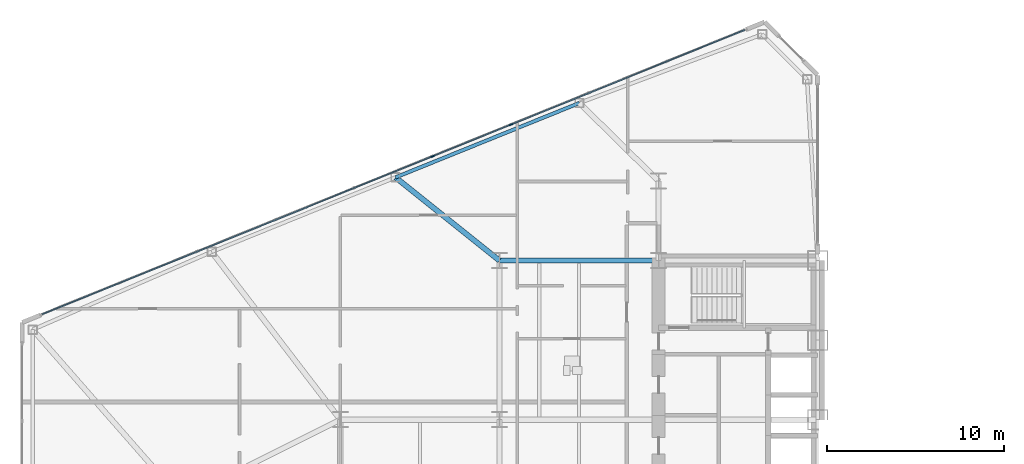
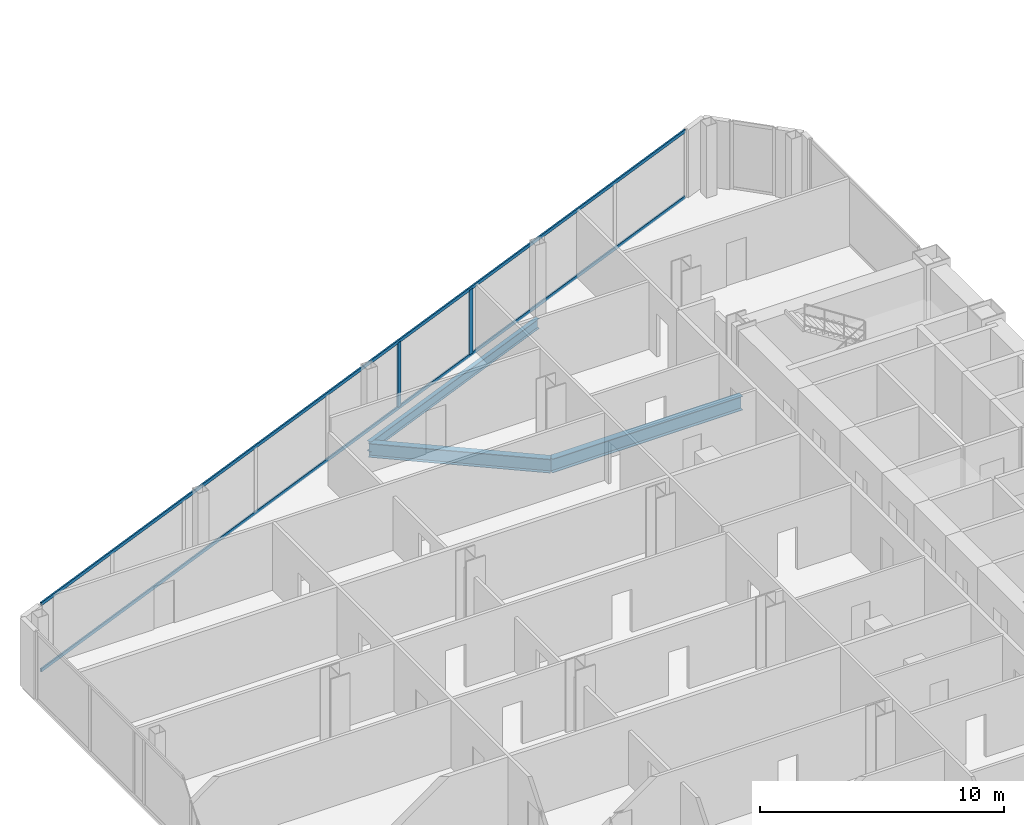
# One storey, part 7 of 25: 4 members, 3 beams, 1 element without a shape of its own.
"""IFC4 building model written with IfcOpenShell, lengths in metres."""

from ifc_helpers import new_model, si_unit, direction, frame, origin, origin_2d, place, context, subcontext, project, spatial, rectangle, i_section, extrude, source, transform, mapped, material, layer, layer_set, material_profile, profile_set, type_object, type_shapes, element, aggregate, save


model = new_model("IFC4")

# Units and contexts
model_context = context("Model", 3, precision=1e-05, world=origin(), true_north=direction((0.0, 1.0)))
body_context = subcontext(model_context, "Body", "Model", "MODEL_VIEW")
ifc_project = project(units=[si_unit("LENGTHUNIT", "METRE"), si_unit("AREAUNIT", "SQUARE_METRE"), si_unit("VOLUMEUNIT", "CUBIC_METRE"), si_unit("PLANEANGLEUNIT", "RADIAN"), si_unit("MASSUNIT", "GRAM", prefix="KILO")], contexts=[model_context])

# Site, building, storey
site_placement = place(None, origin())
site = spatial("IfcSite", under=ifc_project, at=site_placement, CompositionType="ELEMENT")
building_placement = place(site_placement, origin())
building = spatial("IfcBuilding", under=site, at=building_placement, Name="Seokmaru Belvedere", CompositionType="ELEMENT")
storey_placement = place(building_placement, frame((0.0, 0.0, 47.699951171875)))
storey = spatial("IfcBuildingStorey", under=building, at=storey_placement, Name="L12", CompositionType="ELEMENT", Elevation=47.699951171875)

# Beams
ifc_material_1 = material(Name="Steel SM355 (355 MPa)", Category="steel")
ifc_material_profile_1 = material_profile(ifc_material_1, i_section(OverallWidth=0.300048828125, OverallDepth=0.699951171875, WebThickness=0.012939453125, FlangeThickness=0.02392578125, at=origin_2d()), Name="H-700x300x13x24")
ifc_profile_set_1 = profile_set([ifc_material_profile_1], Name="Steel SM355 (355 MPa)")
beam_type_1 = type_object("IfcBeamType", Name="Primary Floor Girder H-700", PredefinedType="BEAM", material=ifc_profile_set_1)
shared_shape_1 = source(origin(), body_context, "Body", "SweptSolid", [
    extrude(i_section(OverallWidth=0.300048828125, OverallDepth=0.699951171875, WebThickness=0.012939453125, FlangeThickness=0.02392578125, at=origin_2d()), origin(), (0.0, 0.0, 1.0), 9.0),
])
beam_1_placement = place(storey_placement, frame((-45.5, 13.5, -0.570068359375), z_axis=(1.0, 0.0, 0.0), x_axis=(0.0, 1.0, 0.0)))
element("IfcBeam", 1, at=beam_1_placement, inside=storey, type_object=beam_type_1, Name="L12 W Wing Primary Girder 4", PredefinedType="BEAM", context=body_context, shape_type="MappedRepresentation", body=[
    mapped(shared_shape_1, transform((0.0, 0.0, 0.0), scale=1.0)),
])
ifc_material_profile_2 = material_profile(ifc_material_1, i_section(OverallWidth=0.199951171875, OverallDepth=0.5, WebThickness=0.010009765625, FlangeThickness=0.01611328125, at=origin_2d()), Name="H-500x200x10x16")
ifc_profile_set_2 = profile_set([ifc_material_profile_2], Name="Steel SM355 (355 MPa)")
beam_type_2 = type_object("IfcBeamType", Name="Perimeter Spandrel Beam H-500", PredefinedType="SPANDREL", material=ifc_profile_set_2)
shared_shape_2 = source(origin(), body_context, "Body", "SweptSolid", [
    extrude(i_section(OverallWidth=0.199951171875, OverallDepth=0.5, WebThickness=0.010009765625, FlangeThickness=0.01611328125, at=origin_2d()), origin(), (0.0, 0.0, 1.0), 11.220703125),
])
type_shapes(beam_type_2, [shared_shape_2])
beam_2_placement = place(storey_placement, frame((-40.977294921875, 22.4140625, -0.469970703125), z_axis=(-0.926944290816, -0.375198989503, 0.0), x_axis=(0.375198989503, -0.926944290816, 0.0)))
element("IfcBeam", 2, at=beam_2_placement, inside=storey, type_object=beam_type_2, Name="L12 W Faceted Flank Spandrel N-2", PredefinedType="SPANDREL", context=body_context, shape_type="MappedRepresentation", body=[
    mapped(shared_shape_2, transform((0.0, 0.0, 0.0), scale=1.0)),
])
shared_shape_3 = source(origin(), body_context, "Body", "SweptSolid", [
    extrude(i_section(OverallWidth=0.300048828125, OverallDepth=0.699951171875, WebThickness=0.012939453125, FlangeThickness=0.02392578125, at=origin_2d()), origin(), (0.0, 0.0, 1.0), 7.52880859375),
])
type_shapes(beam_type_1, [shared_shape_1, shared_shape_3])
beam_3_placement = place(storey_placement, frame((-51.378173828125, 18.2041015625, -0.570068359375), z_axis=(0.780767560736, -0.624821587418, 0.0), x_axis=(0.624821587418, 0.780767560736, 0.0)))
element("IfcBeam", 3, at=beam_3_placement, inside=storey, type_object=beam_type_1, Name="L12 W Flank Radial Floor Girder N-2", PredefinedType="BEAM", context=body_context, shape_type="MappedRepresentation", body=[
    mapped(shared_shape_3, transform((0.0, 0.0, 0.0), scale=1.0)),
])

# Curtain wall, members
ifc_material_2 = material(Name="Bronze Triple Insulating Glass", Category="glass")
ifc_layer = layer(ifc_material_2, 0.2099609375)
ifc_layer_set = layer_set([ifc_layer], Name="Bronze Triple Insulating Glass")
curtain_wall_type = type_object("IfcCurtainWallType", Name="Low-Rise Faceted Crystal Curtain Wall System CW-2", PredefinedType="NOTDEFINED", material=ifc_layer_set)
curtain_wall_placement = place(storey_placement, origin())
curtain_wall = element("IfcCurtainWall", 4, at=curtain_wall_placement, inside=storey, type_object=curtain_wall_type, Name="L12 Curtain Wall WF3", PredefinedType="NOTDEFINED")
ifc_material_3 = material(Name="Anodised Bronze Aluminium", Category="aluminium")
ifc_material_profile_3 = material_profile(ifc_material_3, rectangle(XDim=0.074951171875, YDim=0.2099609375, at=origin_2d()), Name="CW-M-75x210")
ifc_profile_set_3 = profile_set([ifc_material_profile_3], Name="Anodised Bronze Aluminium")
member_type_1 = type_object("IfcMemberType", Name="Bronze Unitised Mullion 75x210", PredefinedType="MULLION", material=ifc_profile_set_3)
shared_shape_4 = source(origin(), body_context, "Body", "SweptSolid", [
    extrude(rectangle(XDim=0.074951171875, YDim=0.2099609375, at=origin_2d()), origin(), (0.0, 0.0, 1.0), 3.239990234375),
])
type_shapes(member_type_1, [shared_shape_4])
member_1_placement = place(storey_placement, frame((-44.855224609375, 21.189453125, 0.070068359375), z_axis=(0.0, 0.0, 1.0), x_axis=(0.375192321888, -0.926946989637, 0.0)))
member_1 = element("IfcMember", 5, at=member_1_placement, type_object=member_type_1, Name="CW:L12:WF3 Mullion 4", PredefinedType="MULLION", context=body_context, shape_type="MappedRepresentation", body=[
    mapped(shared_shape_4, transform((0.0, 0.0, 0.0), scale=1.0)),
])
member_2_placement = place(storey_placement, frame((-49.28515625, 19.396484375, 0.070068359375), z_axis=(0.0, 0.0, 1.0), x_axis=(0.375192321888, -0.926946989637, 0.0)))
member_2 = element("IfcMember", 6, at=member_2_placement, type_object=member_type_1, Name="CW:L12:WF3 Mullion 5", PredefinedType="MULLION", context=body_context, shape_type="MappedRepresentation", body=[
    mapped(shared_shape_4, transform((0.0, 0.0, 0.0), scale=1.0)),
])
ifc_material_profile_4 = material_profile(ifc_material_3, rectangle(XDim=0.070068359375, YDim=0.1650390625, at=origin_2d()), Name="CW-T-70x165")
ifc_profile_set_4 = profile_set([ifc_material_profile_4], Name="Anodised Bronze Aluminium")
member_type_2 = type_object("IfcMemberType", Name="Bronze Unitised Transom 70x165", PredefinedType="USERDEFINED", material=ifc_profile_set_4)
shared_shape_5 = source(origin(), body_context, "Body", "SweptSolid", [
    extrude(rectangle(XDim=0.070068359375, YDim=0.1650390625, at=origin_2d()), origin(), (0.0, 0.0, 1.0), 42.860107421875),
])
type_shapes(member_type_2, [shared_shape_5])
member_3_placement = place(storey_placement, frame((-31.635498046875, 26.540283203125, 0.03515625), z_axis=(-0.926948605599, -0.375188329481, 0.0), x_axis=(0.375188329481, -0.926948605599, 0.0)))
member_3 = element("IfcMember", 7, at=member_3_placement, type_object=member_type_2, Name="CW:L12:WF3 Continuous Transom 1", ObjectType="TRANSOM", PredefinedType="USERDEFINED", context=body_context, shape_type="MappedRepresentation", body=[
    mapped(shared_shape_5, transform((0.0, 0.0, 0.0), scale=1.0)),
])
member_4_placement = place(storey_placement, frame((-31.635498046875, 26.540283203125, 3.344970703125), z_axis=(-0.926948605599, -0.375188329481, 0.0), x_axis=(0.375188329481, -0.926948605599, 0.0)))
member_4 = element("IfcMember", 8, at=member_4_placement, type_object=member_type_2, Name="CW:L12:WF3 Continuous Transom 2", ObjectType="TRANSOM", PredefinedType="USERDEFINED", context=body_context, shape_type="MappedRepresentation", body=[
    mapped(shared_shape_5, transform((0.0, 0.0, 0.0), scale=1.0)),
])
aggregate(curtain_wall, [member_1, member_2, member_3, member_4])

save(model, "model.ifc")
